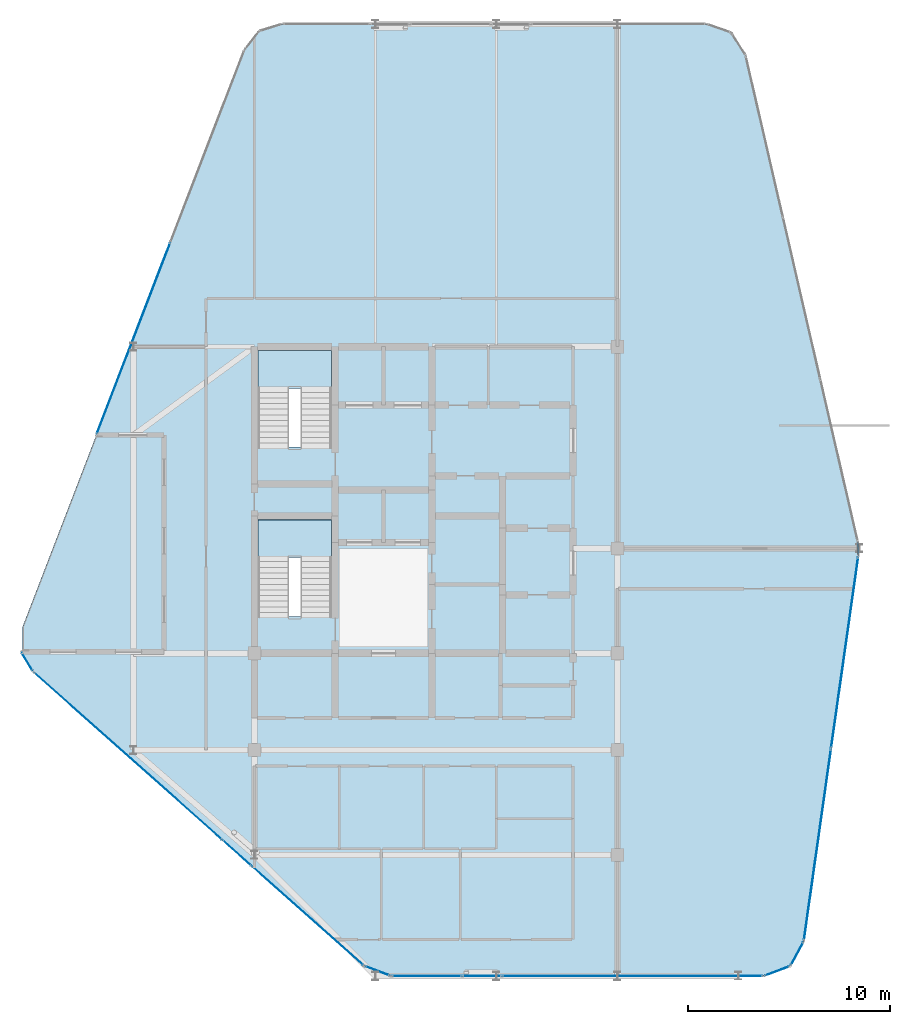
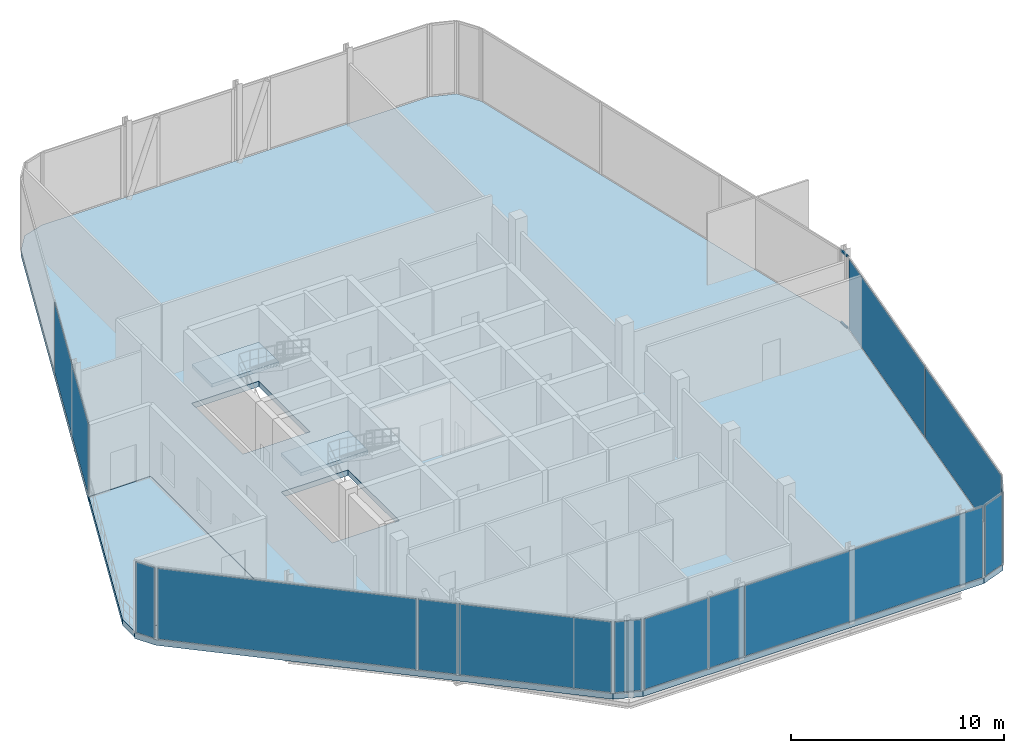
# One storey, part 19 of 24: 13 plates, 4 slabs, 2 members, 15 elements without a shape of their own.
"""IFC4 building model written with IfcOpenShell, lengths in metres."""

from ifc_helpers import new_model, si_unit, direction, frame, origin, origin_2d, place, context, subcontext, project, spatial, polyline, rectangle, hollow_rectangle, outline, extrude, material, layer, layer_set, material_profile, profile_set, type_object, element, aggregate, save


model = new_model("IFC4")

# Units and contexts
model_context = context("Model", 3, precision=1e-05, world=origin(), true_north=direction((0.0, 1.0)))
body_context = subcontext(model_context, "Body", "Model", "MODEL_VIEW")
ifc_project = project(units=[si_unit("LENGTHUNIT", "METRE"), si_unit("AREAUNIT", "SQUARE_METRE"), si_unit("VOLUMEUNIT", "CUBIC_METRE"), si_unit("PLANEANGLEUNIT", "RADIAN"), si_unit("MASSUNIT", "GRAM", prefix="KILO")], contexts=[model_context])

# Site, building, storey
site_placement = place(None, origin())
site = spatial("IfcSite", under=ifc_project, at=site_placement, CompositionType="ELEMENT")
building_placement = place(site_placement, origin())
building = spatial("IfcBuilding", under=site, at=building_placement, Name="Keshet Zoharim Tower", CompositionType="ELEMENT")
storey_placement = place(building_placement, frame((0.0, 0.0, 299.10009765625)))
storey = spatial("IfcBuildingStorey", under=building, at=storey_placement, Name="L75", CompositionType="ELEMENT", Elevation=299.10009765625)

# Curtain wall, members
ifc_material_1 = material(Name="Aluminium 6063-T6", Category="aluminium")
ifc_layer_1 = layer(ifc_material_1, 0.260009765625)
ifc_layer_set_1 = layer_set([ifc_layer_1], Name="Aluminium 6063-T6")
curtain_wall_type = type_object("IfcCurtainWallType", Name="CW-SYS-06", PredefinedType="NOTDEFINED", material=ifc_layer_set_1)
curtain_wall_1_placement = place(storey_placement, origin())
curtain_wall_1 = element("IfcCurtainWall", 1, at=curtain_wall_1_placement, inside=storey, type_object=curtain_wall_type, Name="L75 Unitised Curtain Wall 08", PredefinedType="NOTDEFINED")
ifc_material_profile = material_profile(ifc_material_1, hollow_rectangle(XDim=0.074951171875, YDim=0.1201171875, WallThickness=0.00390625, at=origin_2d()), Name="TRN-75x120")
ifc_profile_set = profile_set([ifc_material_profile], Name="Aluminium 6063-T6")
member_type = type_object("IfcMemberType", Name="CWT-T12", PredefinedType="USERDEFINED", material=ifc_profile_set)
member_1_placement = place(storey_placement, frame((44.9189453125, 28.192138671875, 0.034912109375), z_axis=(0.043813905352, -0.99903970977, 0.0), x_axis=(0.99903970977, 0.043813905352, 0.0)))
member_1 = element("IfcMember", 2, at=member_1_placement, type_object=member_type, Name="CW-06 transom 1.1", ObjectType="TRANSOM", PredefinedType="USERDEFINED", context=body_context, shape_type="SweptSolid", body=[
    extrude(hollow_rectangle(XDim=0.074951171875, YDim=0.1201171875, WallThickness=0.00390625, at=origin_2d()), origin(), (0.0, 0.0, 1.0), 0.590576171875),
])
member_2_placement = place(storey_placement, frame((44.9189453125, 28.192138671875, 4.15478515625), z_axis=(0.043813905352, -0.99903970977, 0.0), x_axis=(0.99903970977, 0.043813905352, 0.0)))
member_2 = element("IfcMember", 3, at=member_2_placement, type_object=member_type, Name="CW-06 transom 1.2", ObjectType="TRANSOM", PredefinedType="USERDEFINED", context=body_context, shape_type="SweptSolid", body=[
    extrude(hollow_rectangle(XDim=0.074951171875, YDim=0.1201171875, WallThickness=0.00390625, at=origin_2d()), origin(), (0.0, 0.0, 1.0), 0.590576171875),
])
aggregate(curtain_wall_1, [member_1, member_2])

# Curtain wall, plate
curtain_wall_2_placement = place(storey_placement, origin())
curtain_wall_2 = element("IfcCurtainWall", 4, at=curtain_wall_2_placement, inside=storey, type_object=curtain_wall_type, Name="L75 Unitised Curtain Wall 01", PredefinedType="NOTDEFINED")
ifc_material_2 = material(Name="Insulated Low-E Clear Glass", Category="glass")
ifc_layer_2 = layer(ifc_material_2, 0.028076171875)
ifc_layer_set_2 = layer_set([ifc_layer_2], Name="Insulated Low-E Clear Glass")
plate_type_1 = type_object("IfcPlateType", Name="CWP-03", PredefinedType="CURTAIN_PANEL", material=ifc_layer_set_2)
plate_1_placement = place(storey_placement, frame((9.003662109375, 38.310791015625, 0.06982421875), z_axis=(0.0, 0.0, 1.0), x_axis=(0.359005277968, 0.933335529374, 0.0)))
plate_1 = element("IfcPlate", 5, at=plate_1_placement, type_object=plate_type_1, Name="CW-06 panel 1.1", PredefinedType="CURTAIN_PANEL", context=body_context, shape_type="SweptSolid", body=[
    extrude(rectangle(XDim=10.1259765625, YDim=0.028076171875, at=origin_2d()), origin(), (0.0, 0.0, 1.0), 4.050048828125),
])
aggregate(curtain_wall_2, [plate_1])

# Curtain wall, plates
curtain_wall_3_placement = place(storey_placement, origin())
curtain_wall_3 = element("IfcCurtainWall", 6, at=curtain_wall_3_placement, inside=storey, type_object=curtain_wall_type, Name="L75 Unitised Curtain Wall 09", PredefinedType="NOTDEFINED")
plate_2_placement = place(storey_placement, frame((44.269287109375, 22.736572265625, 0.06982421875), z_axis=(0.0, 0.0, 1.0), x_axis=(-0.140137464177, -0.990132057422, 0.0)))
plate_2 = element("IfcPlate", 7, at=plate_2_placement, type_object=plate_type_1, Name="CW-06 panel 1.1", PredefinedType="CURTAIN_PANEL", context=body_context, shape_type="SweptSolid", body=[
    extrude(rectangle(XDim=9.546142578125, YDim=0.028076171875, at=origin_2d()), origin(), (0.0, 0.0, 1.0), 4.050048828125),
])
plate_3_placement = place(storey_placement, frame((42.921630859375, 13.21533203125, 0.06982421875), z_axis=(0.0, 0.0, 1.0), x_axis=(-0.140137464177, -0.990132057422, 0.0)))
plate_3 = element("IfcPlate", 8, at=plate_3_placement, type_object=plate_type_1, Name="CW-06 panel 2.1", PredefinedType="CURTAIN_PANEL", context=body_context, shape_type="SweptSolid", body=[
    extrude(rectangle(XDim=9.546142578125, YDim=0.028076171875, at=origin_2d()), origin(), (0.0, 0.0, 1.0), 4.050048828125),
])
aggregate(curtain_wall_3, [plate_2, plate_3])

# Curtain wall, plate
curtain_wall_4_placement = place(storey_placement, origin())
curtain_wall_4 = element("IfcCurtainWall", 9, at=curtain_wall_4_placement, inside=storey, type_object=curtain_wall_type, Name="L75 Unitised Curtain Wall 10", PredefinedType="NOTDEFINED")
plate_4_placement = place(storey_placement, frame((41.908447265625, 7.804931640625, 0.06982421875), z_axis=(0.0, 0.0, 1.0), x_axis=(-0.477800955789, -0.878468125004, 0.0)))
plate_4 = element("IfcPlate", 10, at=plate_4_placement, type_object=plate_type_1, Name="CW-06 panel 1.1", PredefinedType="CURTAIN_PANEL", context=body_context, shape_type="SweptSolid", body=[
    extrude(rectangle(XDim=1.26025390625, YDim=0.028076171875, at=origin_2d()), origin(), (0.0, 0.0, 1.0), 4.050048828125),
])
aggregate(curtain_wall_4, [plate_4])

curtain_wall_5_placement = place(storey_placement, origin())
curtain_wall_5 = element("IfcCurtainWall", 11, at=curtain_wall_5_placement, inside=storey, type_object=curtain_wall_type, Name="L75 Unitised Curtain Wall 11", PredefinedType="NOTDEFINED")
plate_5_placement = place(storey_placement, frame((40.91845703125, 6.945068359375, 0.06982421875), z_axis=(0.0, 0.0, 1.0), x_axis=(-0.936710343781, -0.350105315376, 0.0)))
plate_5 = element("IfcPlate", 12, at=plate_5_placement, type_object=plate_type_1, Name="CW-06 panel 1.1", PredefinedType="CURTAIN_PANEL", context=body_context, shape_type="SweptSolid", body=[
    extrude(rectangle(XDim=1.259521484375, YDim=0.028076171875, at=origin_2d()), origin(), (0.0, 0.0, 1.0), 4.050048828125),
])
aggregate(curtain_wall_5, [plate_5])

curtain_wall_6_placement = place(storey_placement, origin())
curtain_wall_6 = element("IfcCurtainWall", 13, at=curtain_wall_6_placement, inside=storey, type_object=curtain_wall_type, Name="L75 Unitised Curtain Wall 12", PredefinedType="NOTDEFINED")
plate_6_placement = place(storey_placement, frame((33.745849609375, 6.699951171875, 0.06982421875), z_axis=(0.0, 0.0, 1.0), x_axis=(-1.0, 0.0, 0.0)))
plate_6 = element("IfcPlate", 14, at=plate_6_placement, type_object=plate_type_1, Name="CW-06 panel 1.1", PredefinedType="CURTAIN_PANEL", context=body_context, shape_type="SweptSolid", body=[
    extrude(rectangle(XDim=12.89453125, YDim=0.028076171875, at=origin_2d()), origin(), (0.0, 0.0, 1.0), 4.050048828125),
])
aggregate(curtain_wall_6, [plate_6])

curtain_wall_7_placement = place(storey_placement, origin())
curtain_wall_7 = element("IfcCurtainWall", 15, at=curtain_wall_7_placement, inside=storey, type_object=curtain_wall_type, Name="L75 Unitised Curtain Wall 12 Part 3", PredefinedType="NOTDEFINED")
plate_7_placement = place(storey_placement, frame((23.55078125, 6.699951171875, 0.06982421875), z_axis=(0.0, 0.0, 1.0), x_axis=(-1.0, 0.0, 0.0)))
plate_7 = element("IfcPlate", 16, at=plate_7_placement, type_object=plate_type_1, Name="CW-06 panel 1.1", PredefinedType="CURTAIN_PANEL", context=body_context, shape_type="SweptSolid", body=[
    extrude(rectangle(XDim=3.44140625, YDim=0.028076171875, at=origin_2d()), origin(), (0.0, 0.0, 1.0), 4.050048828125),
])
aggregate(curtain_wall_7, [plate_7])

curtain_wall_8_placement = place(storey_placement, origin())
curtain_wall_8 = element("IfcCurtainWall", 17, at=curtain_wall_8_placement, inside=storey, type_object=curtain_wall_type, Name="L75 Unitised Curtain Wall 13", PredefinedType="NOTDEFINED")
plate_8_placement = place(storey_placement, frame((21.095947265625, 6.952392578125, 0.06982421875), z_axis=(0.0, 0.0, 1.0), x_axis=(-0.934699418314, 0.355439161326, 0.0)))
plate_8 = element("IfcPlate", 18, at=plate_8_placement, type_object=plate_type_1, Name="CW-06 panel 1.1", PredefinedType="CURTAIN_PANEL", context=body_context, shape_type="SweptSolid", body=[
    extrude(rectangle(XDim=1.28076171875, YDim=0.028076171875, at=origin_2d()), origin(), (0.0, 0.0, 1.0), 4.050048828125),
])
aggregate(curtain_wall_8, [plate_8])

curtain_wall_9_placement = place(storey_placement, origin())
curtain_wall_9 = element("IfcCurtainWall", 19, at=curtain_wall_9_placement, inside=storey, type_object=curtain_wall_type, Name="L75 Unitised Curtain Wall 14", PredefinedType="NOTDEFINED")
plate_9_placement = place(storey_placement, frame((17.6357421875, 9.6904296875, 0.06982421875), z_axis=(0.0, 0.0, 1.0), x_axis=(-0.747411530821, 0.664361350167, 0.0)))
plate_9 = element("IfcPlate", 20, at=plate_9_placement, type_object=plate_type_1, Name="CW-06 panel 1.1", PredefinedType="CURTAIN_PANEL", context=body_context, shape_type="SweptSolid", body=[
    extrude(rectangle(XDim=7.34228515625, YDim=0.028076171875, at=origin_2d()), origin(), (0.0, 0.0, 1.0), 4.050048828125),
])
aggregate(curtain_wall_9, [plate_9])

curtain_wall_10_placement = place(storey_placement, origin())
curtain_wall_10 = element("IfcCurtainWall", 21, at=curtain_wall_10_placement, inside=storey, type_object=curtain_wall_type, Name="L75 Unitised Curtain Wall 14 Part 3", PredefinedType="NOTDEFINED")
plate_10_placement = place(storey_placement, frame((8.732177734375, 17.604736328125, 0.06982421875), z_axis=(0.0, 0.0, 1.0), x_axis=(-0.747413291367, 0.664359369535, 0.0)))
plate_10 = element("IfcPlate", 22, at=plate_10_placement, type_object=plate_type_1, Name="CW-06 panel 1.1", PredefinedType="CURTAIN_PANEL", context=body_context, shape_type="SweptSolid", body=[
    extrude(rectangle(XDim=12.42919921875, YDim=0.028076171875, at=origin_2d()), origin(), (0.0, 0.0, 1.0), 4.050048828125),
])
aggregate(curtain_wall_10, [plate_10])

curtain_wall_11_placement = place(storey_placement, origin())
curtain_wall_11 = element("IfcCurtainWall", 23, at=curtain_wall_11_placement, inside=storey, type_object=curtain_wall_type, Name="L75 Unitised Curtain Wall 15", PredefinedType="NOTDEFINED")
plate_11_placement = place(storey_placement, frame((3.73388671875, 22.280029296875, 0.06982421875), z_axis=(0.0, 0.0, 1.0), x_axis=(-0.515755106049, 0.856736056545, 0.0)))
plate_11 = element("IfcPlate", 24, at=plate_11_placement, type_object=plate_type_1, Name="CW-06 panel 1.1", PredefinedType="CURTAIN_PANEL", context=body_context, shape_type="SweptSolid", body=[
    extrude(rectangle(XDim=1.027099609375, YDim=0.028076171875, at=origin_2d()), origin(), (0.0, 0.0, 1.0), 4.050048828125),
])
aggregate(curtain_wall_11, [plate_11])

curtain_wall_12_placement = place(storey_placement, origin())
curtain_wall_12 = element("IfcCurtainWall", 25, at=curtain_wall_12_placement, inside=storey, type_object=curtain_wall_type, Name="L75 Unitised Curtain Wall 12 Part 2", PredefinedType="NOTDEFINED")
ifc_material_3 = material(Name="Insulated Aluminium Spandrel Panel", Category="aluminium")
ifc_layer_3 = layer(ifc_material_3, 0.028076171875)
ifc_layer_set_3 = layer_set([ifc_layer_3], Name="Insulated Aluminium Spandrel Panel")
plate_type_2 = type_object("IfcPlateType", Name="CWP-06", PredefinedType="CURTAIN_PANEL", material=ifc_layer_set_3)
plate_12_placement = place(storey_placement, frame((26.284912109375, 6.699951171875, 0.06982421875), z_axis=(0.0, 0.0, 1.0), x_axis=(-1.0, 0.0, 0.0)))
plate_12 = element("IfcPlate", 26, at=plate_12_placement, type_object=plate_type_2, Name="CW-06 spandrel panel 1.1", PredefinedType="CURTAIN_PANEL", context=body_context, shape_type="SweptSolid", body=[
    extrude(rectangle(XDim=1.886962890625, YDim=0.028076171875, at=origin_2d()), origin(), (0.0, 0.0, 1.0), 4.050048828125),
])
aggregate(curtain_wall_12, [plate_12])

curtain_wall_13_placement = place(storey_placement, origin())
curtain_wall_13 = element("IfcCurtainWall", 27, at=curtain_wall_13_placement, inside=storey, type_object=curtain_wall_type, Name="L75 Unitised Curtain Wall 14 Part 2", PredefinedType="NOTDEFINED")
plate_13_placement = place(storey_placement, frame((14.134521484375, 12.802734375, 0.06982421875), z_axis=(0.0, 0.0, 1.0), x_axis=(-0.747403680303, 0.664370181953, 0.0)))
plate_13 = element("IfcPlate", 28, at=plate_13_placement, type_object=plate_type_2, Name="CW-06 spandrel panel 1.1", PredefinedType="CURTAIN_PANEL", context=body_context, shape_type="SweptSolid", body=[
    extrude(rectangle(XDim=1.886962890625, YDim=0.028076171875, at=origin_2d()), origin(), (0.0, 0.0, 1.0), 4.050048828125),
])
aggregate(curtain_wall_13, [plate_13])

# Slabs
ifc_material_4 = material(Name="Concrete C50/60", Category="concrete")
ifc_layer_4 = layer(ifc_material_4, 0.320068359375)
ifc_layer_set_4 = layer_set([ifc_layer_4], Name="Concrete C50/60")
slab_type_1 = type_object("IfcSlabType", Name="SLB-COM-320", PredefinedType="FLOOR", material=ifc_layer_set_4)
slab_1_placement = place(storey_placement, frame((0.0, 0.0, -0.320068359375)))
element("IfcSlab", 29, at=slab_1_placement, inside=storey, type_object=slab_type_1, Name="L75 Structural Floor Slab 1", PredefinedType="FLOOR", context=body_context, shape_type="SweptSolid", body=[
    extrude(outline(polyline([(10.52001953125, 33.52001953125), (7.160888671875, 33.52001953125), (14.507080078125, 52.617919921875), (15.240966796875, 53.549072265625), (16.3740234375, 53.89990234375), (37.408935546875, 53.89990234375), (38.654052734375, 53.465087890625), (39.35791015625, 52.35009765625), (44.916015625, 28.261962890625), (44.947998046875, 27.531982421875), (42.242919921875, 8.419921875), (41.573974609375, 7.18994140625), (40.262939453125, 6.699951171875), (21.760009765625, 6.699951171875), (20.431884765625, 7.205078125), (4.034912109375, 21.780029296875), (3.43310546875, 22.780029296875), (3.47998046875, 22.780029296875), (10.52001953125, 22.780029296875), (10.52001953125, 33.52001953125)]), holes=[polyline([(15.179931640625, 24.52001953125), (18.820068359375, 24.52001953125), (18.820068359375, 29.320068359375), (15.179931640625, 29.320068359375), (15.179931640625, 24.52001953125)]), polyline([(15.179931640625, 32.919921875), (18.820068359375, 32.919921875), (18.820068359375, 37.719970703125), (15.179931640625, 37.719970703125), (15.179931640625, 32.919921875)])]), origin(), (0.0, 0.0, 1.0), 0.320068359375),
])
slab_2_placement = place(storey_placement, frame((0.0, 0.0, -0.320068359375)))
element("IfcSlab", 30, at=slab_2_placement, inside=storey, type_object=slab_type_1, Name="L75 West Summit Community Terrace Slab", PredefinedType="FLOOR", context=body_context, shape_type="SweptSolid", body=[
    extrude(outline(polyline([(3.5, 24.0009765625), (7.154052734375, 33.5), (10.5, 33.5), (10.5, 22.800048828125), (3.5, 22.800048828125), (3.5, 24.0009765625)])), origin(), (0.0, 0.0, 1.0), 0.320068359375),
])

# Stair, slab
stair_type = type_object("IfcStairType", Name="STR-EXIT-135", PredefinedType="HALF_TURN_STAIR", material=ifc_material_4)
stair_1_placement = place(storey_placement, origin())
stair_1 = element("IfcStair", 31, at=stair_1_placement, inside=storey, type_object=stair_type, Name="L75 Enclosed Exit Stair ST-01", PredefinedType="HALF_TURN_STAIR")
ifc_layer_5 = layer(ifc_material_4, 0.199951171875)
ifc_layer_set_5 = layer_set([ifc_layer_5], Name="Concrete C50/60")
slab_type_2 = type_object("IfcSlabType", Name="SLB-LND-200", PredefinedType="LANDING", material=ifc_layer_set_5)
slab_3_placement = place(storey_placement, frame((0.0, 0.0, 2.0498046875)))
slab_3 = element("IfcSlab", 32, at=slab_3_placement, type_object=slab_type_2, Name="ST-01 landing 1", PredefinedType="LANDING", context=body_context, shape_type="SweptSolid", body=[
    extrude(outline(polyline([(15.179931640625, 27.43994140625), (18.820068359375, 27.43994140625), (18.820068359375, 29.320068359375), (15.179931640625, 29.320068359375), (15.179931640625, 27.43994140625)])), origin(), (0.0, 0.0, 1.0), 0.2001953125),
])
aggregate(stair_1, [slab_3])

stair_2_placement = place(storey_placement, origin())
stair_2 = element("IfcStair", 33, at=stair_2_placement, inside=storey, type_object=stair_type, Name="L75 Enclosed Exit Stair ST-02", PredefinedType="HALF_TURN_STAIR")
slab_4_placement = place(storey_placement, frame((0.0, 0.0, 2.0498046875)))
slab_4 = element("IfcSlab", 34, at=slab_4_placement, type_object=slab_type_2, Name="ST-02 landing 1", PredefinedType="LANDING", context=body_context, shape_type="SweptSolid", body=[
    extrude(outline(polyline([(15.179931640625, 35.840087890625), (18.820068359375, 35.840087890625), (18.820068359375, 37.719970703125), (15.179931640625, 37.719970703125), (15.179931640625, 35.840087890625)])), origin(), (0.0, 0.0, 1.0), 0.2001953125),
])
aggregate(stair_2, [slab_4])

save(model, "model.ifc")
